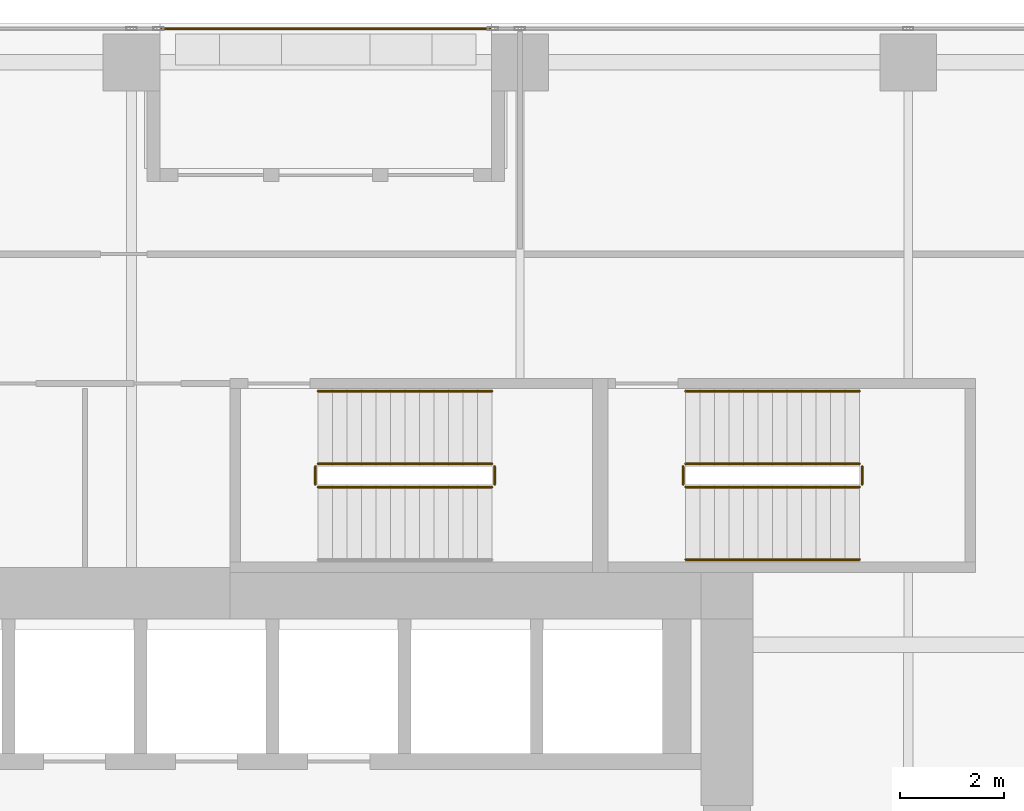
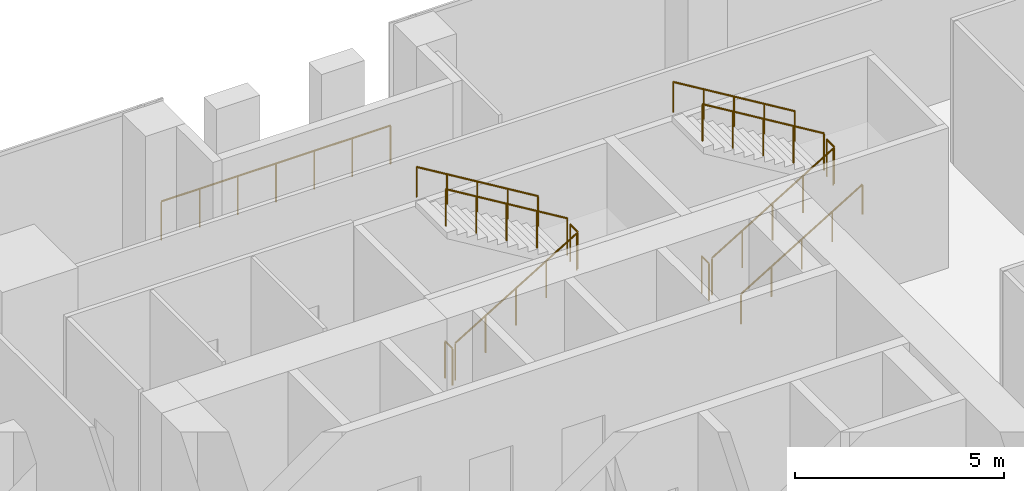
# One storey, part 33 of 34: 12 railings.
"""IFC4 building model written with IfcOpenShell, lengths in metres."""

from ifc_helpers import new_model, si_unit, direction, frame, origin, origin_2d, place, context, subcontext, project, spatial, circle, extrude, source, transform, mapped, material, type_object, element, save


model = new_model("IFC4")

# Units and contexts
model_context = context("Model", 3, precision=1e-05, world=origin(), true_north=direction((0.0, 1.0)))
body_context = subcontext(model_context, "Body", "Model", "MODEL_VIEW")
ifc_project = project(units=[si_unit("LENGTHUNIT", "METRE"), si_unit("AREAUNIT", "SQUARE_METRE"), si_unit("VOLUMEUNIT", "CUBIC_METRE"), si_unit("PLANEANGLEUNIT", "RADIAN"), si_unit("MASSUNIT", "GRAM", prefix="KILO")], contexts=[model_context])

# Site, building, storey
site_placement = place(None, origin())
site = spatial("IfcSite", under=ifc_project, at=site_placement, CompositionType="ELEMENT")
building_placement = place(site_placement, origin())
building = spatial("IfcBuilding", under=site, at=building_placement, Name="Khomas Fold Tower", CompositionType="ELEMENT")
storey_placement = place(building_placement, frame((0.0, 0.0, 110.300048828125)))
storey = spatial("IfcBuildingStorey", under=building, at=storey_placement, Name="L23", CompositionType="ELEMENT", Elevation=110.300048828125)

# Railings
ifc_material_1 = material(Name="Powder-coated steel", Category="steel")
railing_type_1 = type_object("IfcRailingType", Name="Balcony guard", PredefinedType="GUARDRAIL", material=ifc_material_1)
shared_shape_1 = source(origin(), body_context, "Body", "SweptSolid", [
    extrude(circle(Radius=0.02490234375, at=origin_2d()), frame((0.0, 0.0, 1.125), z_axis=(1.0, 0.0, 0.0), x_axis=(0.0, 1.0, 0.0)), (0.0, 0.0, 1.0), 6.33984375),
    extrude(circle(Radius=0.02001953125, at=origin_2d()), origin(), (0.0, 0.0, 1.0), 1.099853515625),
    extrude(circle(Radius=0.02001953125, at=origin_2d()), frame((1.056640625, 0.0, 0.0)), (0.0, 0.0, 1.0), 1.099853515625),
    extrude(circle(Radius=0.02001953125, at=origin_2d()), frame((2.11328125, 0.0, 0.0)), (0.0, 0.0, 1.0), 1.099853515625),
    extrude(circle(Radius=0.02001953125, at=origin_2d()), frame((3.169921875, 0.0, 0.0)), (0.0, 0.0, 1.0), 1.099853515625),
    extrude(circle(Radius=0.02001953125, at=origin_2d()), frame((4.2265625, 0.0, 0.0)), (0.0, 0.0, 1.0), 1.099853515625),
    extrude(circle(Radius=0.02001953125, at=origin_2d()), frame((5.283203125, 0.0, 0.0)), (0.0, 0.0, 1.0), 1.099853515625),
    extrude(circle(Radius=0.02001953125, at=origin_2d()), frame((6.33984375, 0.0, 0.0)), (0.0, 0.0, 1.0), 1.099853515625),
])
railing_1_placement = place(storey_placement, frame((12.580078125, 52.39990234375, -0.045166015625)))
element("IfcRailing", 1, at=railing_1_placement, inside=storey, type_object=railing_type_1, Name="Balcony guard BAL-L23-N1", PredefinedType="GUARDRAIL", context=body_context, shape_type="MappedRepresentation", body=[
    mapped(shared_shape_1, transform((0.0, 0.0, 0.0))),
])
ifc_material_2 = material(Name="Steel balustrade", Category="steel")
railing_type_2 = type_object("IfcRailingType", Name="Stair guard", PredefinedType="GUARDRAIL", material=ifc_material_2)
shared_shape_2 = source(origin(), body_context, "Body", "SweptSolid", [
    extrude(circle(Radius=0.02392578125, at=origin_2d()), frame((0.0, 0.0, 1.076171875), z_axis=(0.0, 1.0, 0.0), x_axis=(-1.0, 0.0, 0.0)), (0.0, 0.0, 1.0), 0.349853515625),
    extrude(circle(Radius=0.02099609375, at=origin_2d()), origin(), (0.0, 0.0, 1.0), 1.052001953125),
    extrude(circle(Radius=0.02099609375, at=origin_2d()), frame((0.0, 0.349853515625, 0.0)), (0.0, 0.0, 1.0), 1.052001953125),
])
for number, where, name in (
    (2, (19.010009765625, 43.60009765625, 2.199951171875), "L23 ST1 stair guard 2"),
    (3, (15.550048828125, 43.60009765625, 0.0), "L23 ST1 stair guard 4"),
    (4, (26.110107421875, 43.60009765625, 2.199951171875), "L23 ST3 stair guard 2"),
    (5, (22.64990234375, 43.60009765625, 0.0), "L23 ST3 stair guard 4"),
):
    element("IfcRailing", number, at=place(storey_placement, frame(where)), inside=storey, type_object=railing_type_2, Name=name, PredefinedType="GUARDRAIL", context=body_context, shape_type="MappedRepresentation", body=[
        mapped(shared_shape_2, transform((0.0, 0.0, 0.0))),
    ])
shared_shape_3 = source(origin(), body_context, "Body", "SweptSolid", [
    extrude(circle(Radius=0.02392578125, at=origin_2d()), frame((0.0, 0.0, 1.076171875), z_axis=(0.855820338506, 0.0, 0.51727318527), x_axis=(0.0, 1.0, 0.0)), (0.0, 0.0, 1.0), 3.92578125),
    extrude(circle(Radius=0.02099609375, at=origin_2d()), origin(), (0.0, 0.0, 1.0), 1.052001953125),
    extrude(circle(Radius=0.02099609375, at=origin_2d()), frame((0.83984375, 0.0, 0.5078125)), (0.0, 0.0, 1.0), 1.052001953125),
    extrude(circle(Radius=0.02099609375, at=origin_2d()), frame((1.679931640625, 0.0, 1.015380859375)), (0.0, 0.0, 1.0), 1.052001953125),
    extrude(circle(Radius=0.02099609375, at=origin_2d()), frame((2.52001953125, 0.0, 1.52294921875)), (0.0, 0.0, 1.0), 1.052001953125),
    extrude(circle(Radius=0.02099609375, at=origin_2d()), frame((3.35986328125, 0.0, 2.03076171875)), (0.0, 0.0, 1.0), 1.052001953125),
])
railing_2_placement = place(storey_placement, frame((15.60009765625, 43.550048828125, 0.169189453125)))
element("IfcRailing", 6, at=railing_2_placement, inside=storey, type_object=railing_type_2, Name="L23 ST1 stair guard 1", PredefinedType="GUARDRAIL", context=body_context, shape_type="MappedRepresentation", body=[
    mapped(shared_shape_3, transform((0.0, 0.0, 0.0))),
])
shared_shape_4 = source(origin(), body_context, "Body", "SweptSolid", [
    extrude(circle(Radius=0.02392578125, at=origin_2d()), frame((0.0, 0.0, 1.076171875), z_axis=(-0.855820338506, 0.0, 0.51727318527), x_axis=(0.0, -1.0, 0.0)), (0.0, 0.0, 1.0), 3.92578125),
    extrude(circle(Radius=0.02099609375, at=origin_2d()), origin(), (0.0, 0.0, 1.0), 1.052001953125),
    extrude(circle(Radius=0.02099609375, at=origin_2d()), frame((-0.83984375, 0.0, 0.5078125)), (0.0, 0.0, 1.0), 1.052001953125),
    extrude(circle(Radius=0.02099609375, at=origin_2d()), frame((-1.679931640625, 0.0, 1.015380859375)), (0.0, 0.0, 1.0), 1.052001953125),
    extrude(circle(Radius=0.02099609375, at=origin_2d()), frame((-2.52001953125, 0.0, 1.52294921875)), (0.0, 0.0, 1.0), 1.052001953125),
    extrude(circle(Radius=0.02099609375, at=origin_2d()), frame((-3.35986328125, 0.0, 2.03076171875)), (0.0, 0.0, 1.0), 1.052001953125),
])
railing_3_placement = place(storey_placement, frame((18.9599609375, 44.0, 2.369140625)))
element("IfcRailing", 7, at=railing_3_placement, inside=storey, type_object=railing_type_2, Name="L23 ST1 stair guard 3", PredefinedType="GUARDRAIL", context=body_context, shape_type="MappedRepresentation", body=[
    mapped(shared_shape_4, transform((0.0, 0.0, 0.0))),
])
ifc_material_3 = material(Name="Steel handrail", Category="steel")
railing_type_3 = type_object("IfcRailingType", Name="Stair handrail", PredefinedType="HANDRAIL", material=ifc_material_3)
shared_shape_5 = source(origin(), body_context, "Body", "SweptSolid", [
    extrude(circle(Radius=0.02392578125, at=origin_2d()), frame((0.0, 0.0, 0.8759765625), z_axis=(-0.855820338506, 0.0, 0.51727318527), x_axis=(0.0, -1.0, 0.0)), (0.0, 0.0, 1.0), 3.92578125),
    extrude(circle(Radius=0.02099609375, at=origin_2d()), origin(), (0.0, 0.0, 1.0), 0.851806640625),
    extrude(circle(Radius=0.02099609375, at=origin_2d()), frame((-0.83984375, 0.0, 0.5078125)), (0.0, 0.0, 1.0), 0.851806640625),
    extrude(circle(Radius=0.02099609375, at=origin_2d()), frame((-1.679931640625, 0.0, 1.015380859375)), (0.0, 0.0, 1.0), 0.851806640625),
    extrude(circle(Radius=0.02099609375, at=origin_2d()), frame((-2.52001953125, 0.0, 1.52294921875)), (0.0, 0.0, 1.0), 0.851806640625),
    extrude(circle(Radius=0.02099609375, at=origin_2d()), frame((-3.35986328125, 0.0, 2.03076171875)), (0.0, 0.0, 1.0), 0.851806640625),
])
railing_4_placement = place(storey_placement, frame((18.9599609375, 45.39990234375, 2.369140625)))
element("IfcRailing", 8, at=railing_4_placement, inside=storey, type_object=railing_type_3, Name="L23 ST1 stair handrail 2", PredefinedType="HANDRAIL", context=body_context, shape_type="MappedRepresentation", body=[
    mapped(shared_shape_5, transform((0.0, 0.0, 0.0))),
])
shared_shape_6 = source(origin(), body_context, "Body", "SweptSolid", [
    extrude(circle(Radius=0.02392578125, at=origin_2d()), frame((0.0, 0.0, 1.076171875), z_axis=(0.855836976705, 0.0, 0.517245656632), x_axis=(0.0, 1.0, 0.0)), (0.0, 0.0, 1.0), 3.926025390625),
    extrude(circle(Radius=0.02099609375, at=origin_2d()), origin(), (0.0, 0.0, 1.0), 1.052001953125),
    extrude(circle(Radius=0.02099609375, at=origin_2d()), frame((0.840087890625, 0.0, 0.5078125)), (0.0, 0.0, 1.0), 1.052001953125),
    extrude(circle(Radius=0.02099609375, at=origin_2d()), frame((1.68017578125, 0.0, 1.015380859375)), (0.0, 0.0, 1.0), 1.052001953125),
    extrude(circle(Radius=0.02099609375, at=origin_2d()), frame((2.52001953125, 0.0, 1.52294921875)), (0.0, 0.0, 1.0), 1.052001953125),
    extrude(circle(Radius=0.02099609375, at=origin_2d()), frame((3.360107421875, 0.0, 2.03076171875)), (0.0, 0.0, 1.0), 1.052001953125),
])
railing_5_placement = place(storey_placement, frame((22.699951171875, 43.550048828125, 0.169189453125)))
element("IfcRailing", 9, at=railing_5_placement, inside=storey, type_object=railing_type_2, Name="L23 ST3 stair guard 1", PredefinedType="GUARDRAIL", context=body_context, shape_type="MappedRepresentation", body=[
    mapped(shared_shape_6, transform((0.0, 0.0, 0.0))),
])
shared_shape_7 = source(origin(), body_context, "Body", "SweptSolid", [
    extrude(circle(Radius=0.02392578125, at=origin_2d()), frame((0.0, 0.0, 1.076171875), z_axis=(-0.855836976705, 0.0, 0.517245656632), x_axis=(0.0, -1.0, 0.0)), (0.0, 0.0, 1.0), 3.926025390625),
    extrude(circle(Radius=0.02099609375, at=origin_2d()), origin(), (0.0, 0.0, 1.0), 1.052001953125),
    extrude(circle(Radius=0.02099609375, at=origin_2d()), frame((-0.840087890625, 0.0, 0.5078125)), (0.0, 0.0, 1.0), 1.052001953125),
    extrude(circle(Radius=0.02099609375, at=origin_2d()), frame((-1.68017578125, 0.0, 1.015380859375)), (0.0, 0.0, 1.0), 1.052001953125),
    extrude(circle(Radius=0.02099609375, at=origin_2d()), frame((-2.52001953125, 0.0, 1.52294921875)), (0.0, 0.0, 1.0), 1.052001953125),
    extrude(circle(Radius=0.02099609375, at=origin_2d()), frame((-3.360107421875, 0.0, 2.03076171875)), (0.0, 0.0, 1.0), 1.052001953125),
])
railing_6_placement = place(storey_placement, frame((26.06005859375, 44.0, 2.369140625)))
element("IfcRailing", 10, at=railing_6_placement, inside=storey, type_object=railing_type_2, Name="L23 ST3 stair guard 3", PredefinedType="GUARDRAIL", context=body_context, shape_type="MappedRepresentation", body=[
    mapped(shared_shape_7, transform((0.0, 0.0, 0.0))),
])
shared_shape_8 = source(origin(), body_context, "Body", "SweptSolid", [
    extrude(circle(Radius=0.02392578125, at=origin_2d()), frame((0.0, 0.0, 0.8759765625), z_axis=(0.855836976705, 0.0, 0.517245656632), x_axis=(0.0, 1.0, 0.0)), (0.0, 0.0, 1.0), 3.926025390625),
    extrude(circle(Radius=0.02099609375, at=origin_2d()), origin(), (0.0, 0.0, 1.0), 0.851806640625),
    extrude(circle(Radius=0.02099609375, at=origin_2d()), frame((0.840087890625, 0.0, 0.5078125)), (0.0, 0.0, 1.0), 0.851806640625),
    extrude(circle(Radius=0.02099609375, at=origin_2d()), frame((1.68017578125, 0.0, 1.015380859375)), (0.0, 0.0, 1.0), 0.851806640625),
    extrude(circle(Radius=0.02099609375, at=origin_2d()), frame((2.52001953125, 0.0, 1.52294921875)), (0.0, 0.0, 1.0), 0.851806640625),
    extrude(circle(Radius=0.02099609375, at=origin_2d()), frame((3.360107421875, 0.0, 2.03076171875)), (0.0, 0.0, 1.0), 0.851806640625),
])
railing_7_placement = place(storey_placement, frame((22.699951171875, 42.14990234375, 0.169189453125)))
element("IfcRailing", 11, at=railing_7_placement, inside=storey, type_object=railing_type_3, Name="L23 ST3 stair handrail 1", PredefinedType="HANDRAIL", context=body_context, shape_type="MappedRepresentation", body=[
    mapped(shared_shape_8, transform((0.0, 0.0, 0.0))),
])
shared_shape_9 = source(origin(), body_context, "Body", "SweptSolid", [
    extrude(circle(Radius=0.02392578125, at=origin_2d()), frame((0.0, 0.0, 0.8759765625), z_axis=(-0.855836976705, 0.0, 0.517245656632), x_axis=(0.0, -1.0, 0.0)), (0.0, 0.0, 1.0), 3.926025390625),
    extrude(circle(Radius=0.02099609375, at=origin_2d()), origin(), (0.0, 0.0, 1.0), 0.851806640625),
    extrude(circle(Radius=0.02099609375, at=origin_2d()), frame((-0.840087890625, 0.0, 0.5078125)), (0.0, 0.0, 1.0), 0.851806640625),
    extrude(circle(Radius=0.02099609375, at=origin_2d()), frame((-1.68017578125, 0.0, 1.015380859375)), (0.0, 0.0, 1.0), 0.851806640625),
    extrude(circle(Radius=0.02099609375, at=origin_2d()), frame((-2.52001953125, 0.0, 1.52294921875)), (0.0, 0.0, 1.0), 0.851806640625),
    extrude(circle(Radius=0.02099609375, at=origin_2d()), frame((-3.360107421875, 0.0, 2.03076171875)), (0.0, 0.0, 1.0), 0.851806640625),
])
railing_8_placement = place(storey_placement, frame((26.06005859375, 45.39990234375, 2.369140625)))
element("IfcRailing", 12, at=railing_8_placement, inside=storey, type_object=railing_type_3, Name="L23 ST3 stair handrail 2", PredefinedType="HANDRAIL", context=body_context, shape_type="MappedRepresentation", body=[
    mapped(shared_shape_9, transform((0.0, 0.0, 0.0))),
])

save(model, "model.ifc")
